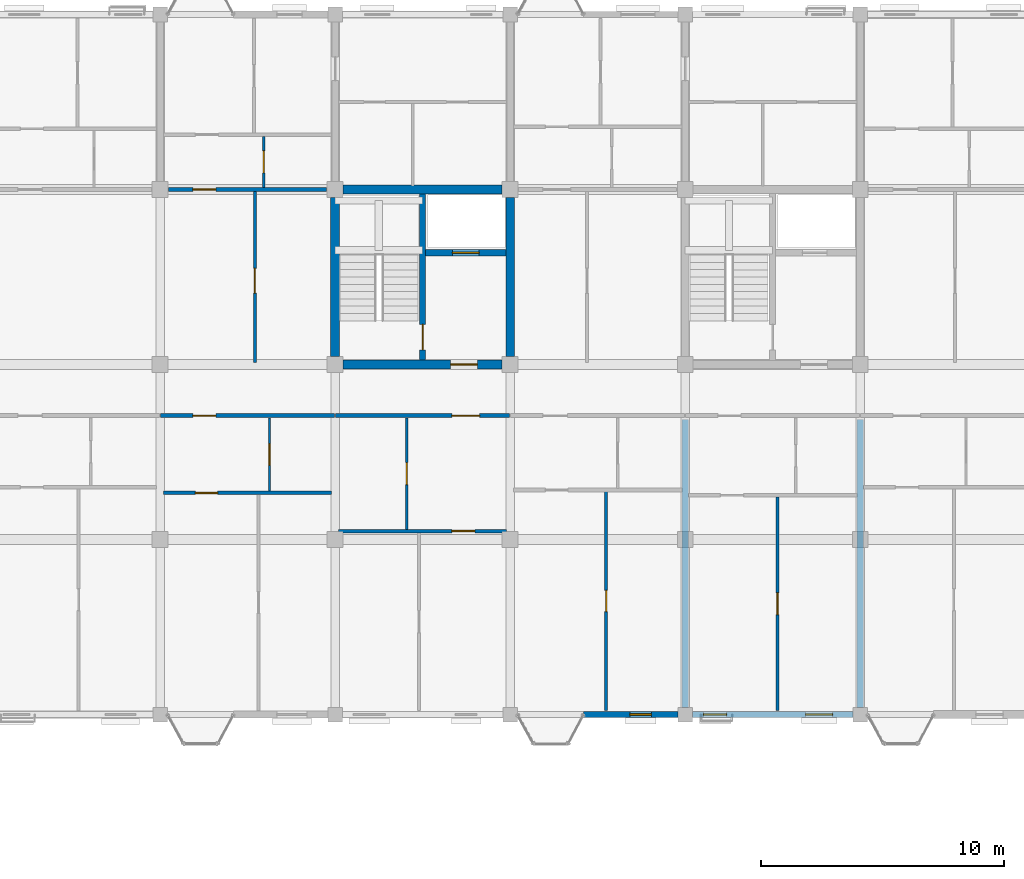
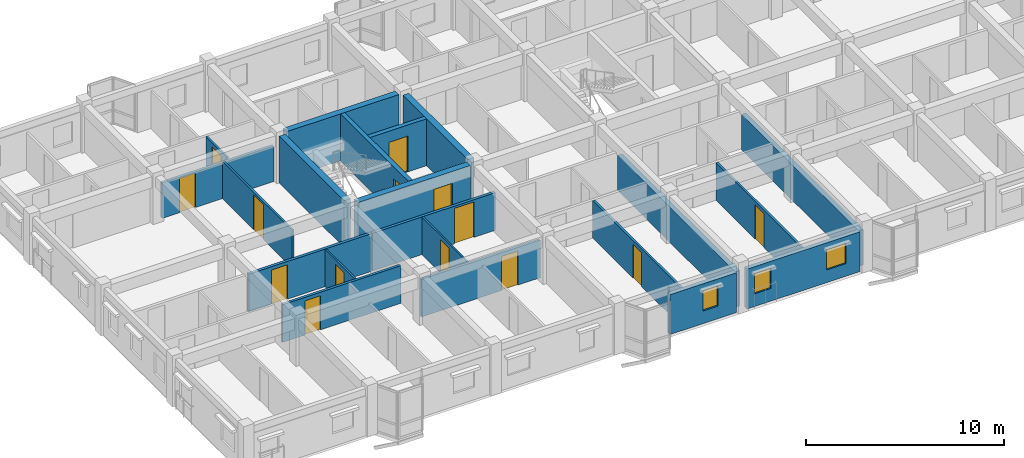
# One storey, part 107 of 124: 21 walls, 14 doors, 3 windows, 17 openings.
"""IFC4 building model written with IfcOpenShell, lengths in metres."""

from ifc_helpers import new_model, si_unit, direction, frame, frame_2d, origin, place, context, subcontext, project, spatial, rectangle, extrude, material, layer, layer_set, type_object, element, fill, save


model = new_model("IFC4")

# Units and contexts
model_context = context("Model", 3, precision=1e-05, world=origin(), true_north=direction((0.0, 1.0)))
body_context = subcontext(model_context, "Body", "Model", "MODEL_VIEW")
ifc_project = project(units=[si_unit("LENGTHUNIT", "METRE"), si_unit("AREAUNIT", "SQUARE_METRE"), si_unit("VOLUMEUNIT", "CUBIC_METRE"), si_unit("PLANEANGLEUNIT", "RADIAN"), si_unit("MASSUNIT", "GRAM", prefix="KILO"), si_unit("THERMODYNAMICTEMPERATUREUNIT", "KELVIN"), si_unit("POWERUNIT", "WATT")], contexts=[model_context])

# Site, building, storey
site_placement = place(None, origin())
site = spatial("IfcSite", under=ifc_project, at=site_placement, CompositionType="ELEMENT")
building_placement = place(site_placement, origin())
building = spatial("IfcBuilding", under=site, at=building_placement, Name="Tavuni Mirador Residences", CompositionType="ELEMENT")
storey_placement = place(building_placement, frame((0.0, 0.0, 7.64990234375)))
storey = spatial("IfcBuildingStorey", under=building, at=storey_placement, Name="L02", CompositionType="ELEMENT", Elevation=7.64990234375)

# Wall, opening, door
ifc_material_1 = material(Name="Precast concrete C40/50", Category="concrete")
ifc_layer_1 = layer(ifc_material_1, 0.25, Name="Precast concrete C40/50", Category="concrete")
ifc_layer_set_1 = layer_set([ifc_layer_1], Name="Precast concrete C40/50")
wall_type_1 = type_object("IfcWallType", Name="WT-COR250", PredefinedType="SHEAR", material=ifc_layer_set_1)
wall_1_placement = place(storey_placement, frame((28.800048828125, 158.580078125, 0.0), z_axis=(0.0, 0.0, 1.0), x_axis=(0.0, 1.0, 0.0)))
wall_1 = element("IfcWall", 1, at=wall_1_placement, inside=storey, type_object=wall_type_1, Name="CWALL-C5-L02-MID", PredefinedType="SHEAR", context=body_context, shape_type="SweptSolid", body=[
    extrude(rectangle(XDim=6.83984375, YDim=0.25, at=frame_2d((3.419921875, 0.0))), origin(), (0.0, 0.0, 1.0), 2.885009765625),
])
opening_1_placement = place(wall_1_placement, frame((0.419921875, 0.0, 0.0)))
opening_1 = element("IfcOpeningElement", 2, at=opening_1_placement, cuts=wall_1, Name="Opening D-01", PredefinedType="OPENING", context=body_context, shape_type="SweptSolid", body=[
    extrude(rectangle(XDim=1.050048828125, YDim=2.14990234375, at=frame_2d((0.52490234375, 1.074951171875))), frame((0.0, 0.135009765625, 0.0), z_axis=(0.0, -1.0, 0.0), x_axis=(1.0, 0.0, 0.0)), (0.0, 0.0, 1.0), 0.27001953125),
])
ifc_material_2 = material(Name="Solid core iroko timber", Category="wood")
door_type_1 = type_object("IfcDoorType", Name="DT-ST1050", OperationType="NOTDEFINED", PredefinedType="DOOR", material=ifc_material_2)
door_1_placement = place(opening_1_placement, origin())
door_1 = element("IfcDoor", 3, at=door_1_placement, inside=storey, type_object=door_type_1, Name="DR-2181", OperationType="SINGLE_SWING_LEFT", OverallHeight=2.14990234375, OverallWidth=1.050048828125, PredefinedType="DOOR", context=body_context, shape_type="SweptSolid", body=[
    extrude(rectangle(XDim=1.050048828125, YDim=2.14990234375, at=frame_2d((0.52490234375, 1.074951171875))), frame((0.0, 0.02490234375, 0.0), z_axis=(0.0, -1.0, 0.0), x_axis=(1.0, 0.0, 0.0)), (0.0, 0.0, 1.0), 0.050048828125),
])
fill(opening_1, door_1)

wall_2_placement = place(storey_placement, frame((28.925048828125, 163.0, 0.0), z_axis=(0.0, 0.0, 1.0), x_axis=(1.0, 0.0, 0.0)))
wall_2 = element("IfcWall", 4, at=wall_2_placement, inside=storey, type_object=wall_type_1, Name="CWALL-C5-L02-SHF", PredefinedType="SHEAR", context=body_context, shape_type="SweptSolid", body=[
    extrude(rectangle(XDim=3.294921875, YDim=0.25, at=frame_2d((1.6474609375, 0.0))), origin(), (0.0, 0.0, 1.0), 2.885009765625),
])
opening_2_placement = place(wall_2_placement, frame((1.10009765625, 0.0, 0.0)))
opening_2 = element("IfcOpeningElement", 5, at=opening_2_placement, cuts=wall_2, Name="Opening LD-01", PredefinedType="OPENING", context=body_context, shape_type="SweptSolid", body=[
    extrude(rectangle(XDim=1.10009765625, YDim=2.199951171875, at=frame_2d((0.550048828125, 1.10009765625))), frame((0.0, 0.135009765625, 0.0), z_axis=(0.0, -1.0, 0.0), x_axis=(1.0, 0.0, 0.0)), (0.0, 0.0, 1.0), 0.27001953125),
])
ifc_material_3 = material(Name="Structural steel S355", Category="steel")
door_type_2 = type_object("IfcDoorType", Name="DT-LD-FF", OperationType="SLIDING_TO_LEFT", PredefinedType="DOOR", material=ifc_material_3)
door_2_placement = place(opening_2_placement, origin())
door_2 = element("IfcDoor", 6, at=door_2_placement, inside=storey, type_object=door_type_2, Name="Lift landing door FL-C1 L02", OperationType="SLIDING_TO_LEFT", OverallHeight=2.199951171875, OverallWidth=1.10009765625, PredefinedType="DOOR", context=body_context, shape_type="SweptSolid", body=[
    extrude(rectangle(XDim=1.10009765625, YDim=2.199951171875, at=frame_2d((0.550048828125, 1.10009765625))), frame((0.0, 0.02490234375, 0.0), z_axis=(0.0, -1.0, 0.0), x_axis=(1.0, 0.0, 0.0)), (0.0, 0.0, 1.0), 0.050048828125),
])
fill(opening_2, door_2)

# Walls
ifc_layer_2 = layer(ifc_material_1, 0.360107421875, Name="Precast concrete C40/50", Category="concrete")
ifc_layer_set_2 = layer_set([ifc_layer_2], Name="Precast concrete C40/50")
wall_type_2 = type_object("IfcWallType", Name="WT-COR360", PredefinedType="SHEAR", material=ifc_layer_set_2)
wall_3_placement = place(storey_placement, frame((25.199951171875, 158.72509765625, 0.0), z_axis=(0.0, 0.0, 1.0), x_axis=(0.0, 1.0, 0.0)))
element("IfcWall", 7, at=wall_3_placement, inside=storey, type_object=wall_type_2, Name="CWALL-C5-L02-W", PredefinedType="SHEAR", context=body_context, shape_type="SweptSolid", body=[
    extrude(rectangle(XDim=6.5498046875, YDim=0.360107421875, at=frame_2d((3.27490234375, 0.0))), origin(), (0.0, 0.0, 1.0), 2.885009765625),
])
wall_4_placement = place(storey_placement, frame((25.52490234375, 165.60009765625, 0.0), z_axis=(0.0, 0.0, 1.0), x_axis=(1.0, 0.0, 0.0)))
element("IfcWall", 8, at=wall_4_placement, inside=storey, type_object=wall_type_2, Name="CWALL-C5-L02-N", PredefinedType="SHEAR", context=body_context, shape_type="SweptSolid", body=[
    extrude(rectangle(XDim=6.550048828125, YDim=0.360107421875, at=frame_2d((3.27490234375, 0.0))), origin(), (0.0, 0.0, 1.0), 2.885009765625),
])
wall_5_placement = place(storey_placement, frame((32.39990234375, 158.72509765625, 0.0), z_axis=(0.0, 0.0, 1.0), x_axis=(0.0, 1.0, 0.0)))
element("IfcWall", 9, at=wall_5_placement, inside=storey, type_object=wall_type_2, Name="CWALL-C5-L02-E", PredefinedType="SHEAR", context=body_context, shape_type="SweptSolid", body=[
    extrude(rectangle(XDim=6.5498046875, YDim=0.360107421875, at=frame_2d((3.27490234375, 0.0))), origin(), (0.0, 0.0, 1.0), 2.885009765625),
])

# Wall, opening, door
wall_6_placement = place(storey_placement, frame((25.52490234375, 158.39990234375, 0.0), z_axis=(0.0, 0.0, 1.0), x_axis=(1.0, 0.0, 0.0)))
wall_6 = element("IfcWall", 10, at=wall_6_placement, inside=storey, type_object=wall_type_2, Name="CWALL-C5-L02-SS", PredefinedType="SHEAR", context=body_context, shape_type="SweptSolid", body=[
    extrude(rectangle(XDim=6.550048828125, YDim=0.360107421875, at=frame_2d((3.27490234375, 0.0))), origin(), (0.0, 0.0, 1.0), 2.885009765625),
])
opening_3_placement = place(wall_6_placement, frame((4.425048828125, 0.0, 0.0)))
opening_3 = element("IfcOpeningElement", 11, at=opening_3_placement, cuts=wall_6, Name="Opening D-02", PredefinedType="OPENING", context=body_context, shape_type="SweptSolid", body=[
    extrude(rectangle(XDim=1.10009765625, YDim=2.14990234375, at=frame_2d((0.550048828125, 1.074951171875))), frame((0.0, 0.18994140625, 0.0), z_axis=(0.0, -1.0, 0.0), x_axis=(1.0, 0.0, 0.0)), (0.0, 0.0, 1.0), 0.380126953125),
])
door_type_3 = type_object("IfcDoorType", Name="DT-LOB1100", OperationType="NOTDEFINED", PredefinedType="DOOR", material=ifc_material_2)
door_3_placement = place(opening_3_placement, frame((1.10009765625, 0.0, 0.0), z_axis=(0.0, 0.0, 1.0), x_axis=(-1.0, 0.0, 0.0)))
door_3 = element("IfcDoor", 12, at=door_3_placement, inside=storey, type_object=door_type_3, Name="DR-2180", OperationType="SINGLE_SWING_RIGHT", OverallHeight=2.14990234375, OverallWidth=1.10009765625, PredefinedType="DOOR", context=body_context, shape_type="SweptSolid", body=[
    extrude(rectangle(XDim=1.10009765625, YDim=2.14990234375, at=frame_2d((0.550048828125, 1.074951171875))), frame((0.0, 0.02490234375, 0.0), z_axis=(0.0, -1.0, 0.0), x_axis=(1.0, 0.0, 0.0)), (0.0, 0.0, 1.0), 0.050048828125),
])
fill(opening_3, door_3)

ifc_layer_3 = layer(ifc_material_1, 0.1650390625, Name="Precast concrete C40/50", Category="concrete")
ifc_layer_set_3 = layer_set([ifc_layer_3], Name="Precast concrete C40/50")
wall_type_3 = type_object("IfcWallType", Name="WT-CORR165", PredefinedType="PARTITIONING", material=ifc_layer_set_3)
wall_7_placement = place(storey_placement, frame((18.02001953125, 156.300048828125, 0.0), z_axis=(0.0, 0.0, 1.0), x_axis=(1.0, 0.0, 0.0)))
wall_7 = element("IfcWall", 13, at=wall_7_placement, inside=storey, type_object=wall_type_3, Name="CORW-BLK-C-L02-0-01", PredefinedType="PARTITIONING", context=body_context, shape_type="SweptSolid", body=[
    extrude(rectangle(XDim=7.159912109375, YDim=0.1650390625, at=frame_2d((3.580078125, 0.0))), origin(), (0.0, 0.0, 1.0), 2.320068359375),
])
opening_4_placement = place(wall_7_placement, frame((1.330078125, 0.0, 0.0)))
opening_4 = element("IfcOpeningElement", 14, at=opening_4_placement, cuts=wall_7, Name="Opening D-19", PredefinedType="OPENING", context=body_context, shape_type="SweptSolid", body=[
    extrude(rectangle(XDim=0.93994140625, YDim=2.1201171875, at=frame_2d((0.469970703125, 1.06005859375))), frame((0.0, 0.092529296875, 0.0), z_axis=(0.0, -1.0, 0.0), x_axis=(1.0, 0.0, 0.0)), (0.0, 0.0, 1.0), 0.18505859375),
])
door_type_4 = type_object("IfcDoorType", Name="DT-FD60-940", OperationType="NOTDEFINED", PredefinedType="DOOR", material=ifc_material_2)
door_4_placement = place(opening_4_placement, origin())
door_4 = element("IfcDoor", 15, at=door_4_placement, inside=storey, type_object=door_type_4, Name="DR-2644", OperationType="SINGLE_SWING_LEFT", OverallHeight=2.1201171875, OverallWidth=0.93994140625, PredefinedType="DOOR", context=body_context, shape_type="SweptSolid", body=[
    extrude(rectangle(XDim=0.93994140625, YDim=2.1201171875, at=frame_2d((0.469970703125, 1.06005859375))), frame((0.0, 0.02490234375, 0.0), z_axis=(0.0, -1.0, 0.0), x_axis=(1.0, 0.0, 0.0)), (0.0, 0.0, 1.0), 0.050048828125),
])
fill(opening_4, door_4)

wall_8_placement = place(storey_placement, frame((25.219970703125, 156.300048828125, 0.0), z_axis=(0.0, 0.0, 1.0), x_axis=(1.0, 0.0, 0.0)))
wall_8 = element("IfcWall", 16, at=wall_8_placement, inside=storey, type_object=wall_type_3, Name="CORW-BLK-C-L02-0-02", PredefinedType="PARTITIONING", context=body_context, shape_type="SweptSolid", body=[
    extrude(rectangle(XDim=7.159912109375, YDim=0.1650390625, at=frame_2d((3.580078125, 0.0))), origin(), (0.0, 0.0, 1.0), 2.320068359375),
])
opening_5_placement = place(wall_8_placement, frame((4.780029296875, 0.0, 0.0)))
opening_5 = element("IfcOpeningElement", 17, at=opening_5_placement, cuts=wall_8, Name="Opening D-20", PredefinedType="OPENING", context=body_context, shape_type="SweptSolid", body=[
    extrude(rectangle(XDim=1.139892578125, YDim=2.179931640625, at=frame_2d((0.56982421875, 1.08984375))), frame((0.0, 0.092529296875, 0.0), z_axis=(0.0, -1.0, 0.0), x_axis=(1.0, 0.0, 0.0)), (0.0, 0.0, 1.0), 0.18505859375),
])
door_type_5 = type_object("IfcDoorType", Name="DT-FD60-1140", OperationType="NOTDEFINED", PredefinedType="DOOR", material=ifc_material_2)
door_5_placement = place(opening_5_placement, origin())
door_5 = element("IfcDoor", 18, at=door_5_placement, inside=storey, type_object=door_type_5, Name="DR-2645", OperationType="SINGLE_SWING_RIGHT", OverallHeight=2.179931640625, OverallWidth=1.139892578125, PredefinedType="DOOR", context=body_context, shape_type="SweptSolid", body=[
    extrude(rectangle(XDim=1.139892578125, YDim=2.179931640625, at=frame_2d((0.56982421875, 1.08984375))), frame((0.0, 0.02490234375, 0.0), z_axis=(0.0, -1.0, 0.0), x_axis=(1.0, 0.0, 0.0)), (0.0, 0.0, 1.0), 0.050048828125),
])
fill(opening_5, door_5)

wall_9_placement = place(storey_placement, frame((18.35009765625, 165.60009765625, 0.0), z_axis=(0.0, 0.0, 1.0), x_axis=(1.0, 0.0, 0.0)))
wall_9 = element("IfcWall", 19, at=wall_9_placement, inside=storey, type_object=wall_type_3, Name="CORW-BLK-C-L02-1-01", PredefinedType="PARTITIONING", context=body_context, shape_type="SweptSolid", body=[
    extrude(rectangle(XDim=6.5, YDim=0.1650390625, at=frame_2d((3.25, 0.0))), origin(), (0.0, 0.0, 1.0), 2.18505859375),
])
opening_6_placement = place(wall_9_placement, frame((1.0, 0.0, 0.0)))
opening_6 = element("IfcOpeningElement", 20, at=opening_6_placement, cuts=wall_9, Name="Opening D-19", PredefinedType="OPENING", context=body_context, shape_type="SweptSolid", body=[
    extrude(rectangle(XDim=0.93994140625, YDim=2.1201171875, at=frame_2d((0.469970703125, 1.06005859375))), frame((0.0, 0.092529296875, 0.0), z_axis=(0.0, -1.0, 0.0), x_axis=(1.0, 0.0, 0.0)), (0.0, 0.0, 1.0), 0.18505859375),
])
door_6_placement = place(opening_6_placement, origin())
door_6 = element("IfcDoor", 21, at=door_6_placement, inside=storey, type_object=door_type_4, Name="DR-2653", OperationType="SINGLE_SWING_RIGHT", OverallHeight=2.1201171875, OverallWidth=0.93994140625, PredefinedType="DOOR", context=body_context, shape_type="SweptSolid", body=[
    extrude(rectangle(XDim=0.93994140625, YDim=2.1201171875, at=frame_2d((0.469970703125, 1.06005859375))), frame((0.0, 0.02490234375, 0.0), z_axis=(0.0, -1.0, 0.0), x_axis=(1.0, 0.0, 0.0)), (0.0, 0.0, 1.0), 0.050048828125),
])
fill(opening_6, door_6)

# Wall, openings, windows
ifc_material_4 = material(Name="Sgraffito lime-rendered precast concrete C40/50", Category="concrete")
ifc_layer_4 = layer(ifc_material_4, 0.2451171875, Name="Sgraffito lime-rendered precast concrete C40/50", Category="concrete")
ifc_layer_set_4 = layer_set([ifc_layer_4], Name="Sgraffito lime-rendered precast concrete C40/50")
wall_type_4 = type_object("IfcWallType", Name="WT-EXT-PC245", PredefinedType="SOLIDWALL", material=ifc_layer_set_4)
wall_10_placement = place(storey_placement, frame((39.89990234375, 144.0, 0.0), z_axis=(0.0, 0.0, 1.0), x_axis=(1.0, 0.0, 0.0)))
wall_10 = element("IfcWall", 22, at=wall_10_placement, inside=storey, type_object=wall_type_4, Name="EW-BLK-C-L02-S04", PredefinedType="SOLIDWALL", context=body_context, shape_type="SweptSolid", body=[
    extrude(rectangle(XDim=6.60009765625, YDim=0.2451171875, at=frame_2d((3.300048828125, 0.0))), origin(), (0.0, 0.0, 1.0), 2.455078125),
])
opening_7_placement = place(wall_10_placement, frame((0.449951171875, 0.0, 0.780029296875)))
opening_7 = element("IfcOpeningElement", 23, at=opening_7_placement, cuts=wall_10, Name="Opening WN-10", PredefinedType="OPENING", context=body_context, shape_type="SweptSolid", body=[
    extrude(rectangle(XDim=0.9599609375, YDim=1.260009765625, at=frame_2d((0.47998046875, 0.6298828125))), frame((0.0, 0.132568359375, 0.0), z_axis=(0.0, -1.0, 0.0), x_axis=(1.0, 0.0, 0.0)), (0.0, 0.0, 1.0), 0.26513671875),
])
opening_8_placement = place(wall_10_placement, frame((4.64990234375, 0.0, 0.780029296875)))
opening_8 = element("IfcOpeningElement", 24, at=opening_8_placement, cuts=wall_10, Name="Opening WN-12", PredefinedType="OPENING", context=body_context, shape_type="SweptSolid", body=[
    extrude(rectangle(XDim=1.1201171875, YDim=1.260009765625, at=frame_2d((0.56005859375, 0.6298828125))), frame((0.0, 0.132568359375, 0.0), z_axis=(0.0, -1.0, 0.0), x_axis=(1.0, 0.0, 0.0)), (0.0, 0.0, 1.0), 0.26513671875),
])
ifc_material_5 = material(Name="Laminated solar-control glass", Category="glass")
window_type_1 = type_object("IfcWindowType", Name="WNT-10", PartitioningType="SINGLE_PANEL", PredefinedType="WINDOW", material=ifc_material_5)
window_1_placement = place(opening_7_placement, origin())
window_1 = element("IfcWindow", 25, at=window_1_placement, inside=storey, type_object=window_type_1, Name="WIN-0907", OverallHeight=1.260009765625, OverallWidth=0.9599609375, PartitioningType="SINGLE_PANEL", PredefinedType="WINDOW", context=body_context, shape_type="SweptSolid", body=[
    extrude(rectangle(XDim=0.9599609375, YDim=1.260009765625, at=frame_2d((0.47998046875, 0.6298828125))), frame((0.0, 0.030029296875, 0.0), z_axis=(0.0, -1.0, 0.0), x_axis=(1.0, 0.0, 0.0)), (0.0, 0.0, 1.0), 0.06005859375),
])
fill(opening_7, window_1)
window_type_2 = type_object("IfcWindowType", Name="WNT-12", PartitioningType="SINGLE_PANEL", PredefinedType="WINDOW", material=ifc_material_5)
window_2_placement = place(opening_8_placement, origin())
window_2 = element("IfcWindow", 26, at=window_2_placement, inside=storey, type_object=window_type_2, Name="WIN-0908", OverallHeight=1.260009765625, OverallWidth=1.1201171875, PartitioningType="SINGLE_PANEL", PredefinedType="WINDOW", context=body_context, shape_type="SweptSolid", body=[
    extrude(rectangle(XDim=1.1201171875, YDim=1.260009765625, at=frame_2d((0.56005859375, 0.6298828125))), frame((0.0, 0.030029296875, 0.0), z_axis=(0.0, -1.0, 0.0), x_axis=(1.0, 0.0, 0.0)), (0.0, 0.0, 1.0), 0.06005859375),
])
fill(opening_8, window_2)

# Wall, opening, window
ifc_layer_5 = layer(ifc_material_4, 0.2548828125, Name="Sgraffito lime-rendered precast concrete C40/50", Category="concrete")
ifc_layer_set_5 = layer_set([ifc_layer_5], Name="Sgraffito lime-rendered precast concrete C40/50")
wall_type_5 = type_object("IfcWallType", Name="WT-EXT-PC255", PredefinedType="SOLIDWALL", material=ifc_layer_set_5)
wall_11_placement = place(storey_placement, frame((35.419921875, 144.0, 0.0), z_axis=(0.0, 0.0, 1.0), x_axis=(1.0, 0.0, 0.0)))
wall_11 = element("IfcWall", 27, at=wall_11_placement, inside=storey, type_object=wall_type_5, Name="EW-BLK-C-L02-S03", PredefinedType="SOLIDWALL", context=body_context, shape_type="SweptSolid", body=[
    extrude(rectangle(XDim=3.880126953125, YDim=0.2548828125, at=frame_2d((1.93994140625, 0.0))), origin(), (0.0, 0.0, 1.0), 2.455078125),
])
opening_9_placement = place(wall_11_placement, frame((1.909912109375, 0.0, 0.780029296875)))
opening_9 = element("IfcOpeningElement", 28, at=opening_9_placement, cuts=wall_11, Name="Opening WN-09", PredefinedType="OPENING", context=body_context, shape_type="SweptSolid", body=[
    extrude(rectangle(XDim=0.8798828125, YDim=1.260009765625, at=frame_2d((0.43994140625, 0.6298828125))), frame((0.0, 0.137451171875, 0.0), z_axis=(0.0, -1.0, 0.0), x_axis=(1.0, 0.0, 0.0)), (0.0, 0.0, 1.0), 0.27490234375),
])
window_type_3 = type_object("IfcWindowType", Name="WNT-09", PartitioningType="SINGLE_PANEL", PredefinedType="WINDOW", material=ifc_material_5)
window_3_placement = place(opening_9_placement, origin())
window_3 = element("IfcWindow", 29, at=window_3_placement, inside=storey, type_object=window_type_3, Name="WIN-0906", OverallHeight=1.260009765625, OverallWidth=0.8798828125, PartitioningType="SINGLE_PANEL", PredefinedType="WINDOW", context=body_context, shape_type="SweptSolid", body=[
    extrude(rectangle(XDim=0.8798828125, YDim=1.260009765625, at=frame_2d((0.43994140625, 0.6298828125))), frame((0.0, 0.030029296875, 0.0), z_axis=(0.0, -1.0, 0.0), x_axis=(1.0, 0.0, 0.0)), (0.0, 0.0, 1.0), 0.06005859375),
])
fill(opening_9, window_3)

# Wall, opening, door
ifc_material_6 = material(Name="Acoustic gypsum and concrete block partition", Category="concrete")
ifc_layer_6 = layer(ifc_material_6, 0.094970703125, Name="Acoustic gypsum and concrete block partition", Category="concrete")
ifc_layer_set_6 = layer_set([ifc_layer_6], Name="Acoustic gypsum and concrete block partition")
wall_type_6 = type_object("IfcWallType", Name="WT-PART095", PredefinedType="PARTITIONING", material=ifc_layer_set_6)
wall_12_placement = place(storey_placement, frame((22.5, 153.18994140625, 0.0), z_axis=(0.0, 0.0, 1.0), x_axis=(0.0, 1.0, 0.0)))
wall_12 = element("IfcWall", 30, at=wall_12_placement, inside=storey, type_object=wall_type_6, Name="PW-BLK-C-L02-S01-IN1", PredefinedType="PARTITIONING", context=body_context, shape_type="SweptSolid", body=[
    extrude(rectangle(XDim=3.02001953125, YDim=0.094970703125, at=frame_2d((1.510009765625, 0.0))), origin(), (0.0, 0.0, 1.0), 2.320068359375),
])
opening_10_placement = place(wall_12_placement, frame((1.074951171875, 0.0, 0.0)))
opening_10 = element("IfcOpeningElement", 31, at=opening_10_placement, cuts=wall_12, Name="Opening D-10", PredefinedType="OPENING", context=body_context, shape_type="SweptSolid", body=[
    extrude(rectangle(XDim=0.8701171875, YDim=2.050048828125, at=frame_2d((0.43505859375, 1.02490234375))), frame((0.0, 0.0576171875, 0.0), z_axis=(0.0, -1.0, 0.0), x_axis=(1.0, 0.0, 0.0)), (0.0, 0.0, 1.0), 0.114990234375),
])
door_type_6 = type_object("IfcDoorType", Name="DT-WC870", OperationType="NOTDEFINED", PredefinedType="DOOR", material=ifc_material_2)
door_7_placement = place(opening_10_placement, origin())
door_7 = element("IfcDoor", 32, at=door_7_placement, inside=storey, type_object=door_type_6, Name="DR-3747", OperationType="SINGLE_SWING_RIGHT", OverallHeight=2.050048828125, OverallWidth=0.8701171875, PredefinedType="DOOR", context=body_context, shape_type="SweptSolid", body=[
    extrude(rectangle(XDim=0.8701171875, YDim=2.050048828125, at=frame_2d((0.43505859375, 1.02490234375))), frame((0.0, 0.02490234375, 0.0), z_axis=(0.0, -1.0, 0.0), x_axis=(1.0, 0.0, 0.0)), (0.0, 0.0, 1.0), 0.050048828125),
])
fill(opening_10, door_7)

wall_13_placement = place(storey_placement, frame((28.14990234375, 151.6201171875, 0.0), z_axis=(0.0, 0.0, 1.0), x_axis=(0.0, 1.0, 0.0)))
wall_13 = element("IfcWall", 33, at=wall_13_placement, inside=storey, type_object=wall_type_6, Name="PW-BLK-C-L02-S02-IN1", PredefinedType="PARTITIONING", context=body_context, shape_type="SweptSolid", body=[
    extrude(rectangle(XDim=4.58984375, YDim=0.094970703125, at=frame_2d((2.294921875, 0.0))), origin(), (0.0, 0.0, 1.0), 2.320068359375),
])
opening_11_placement = place(wall_13_placement, frame((1.844970703125, 0.0, 0.0)))
opening_11 = element("IfcOpeningElement", 34, at=opening_11_placement, cuts=wall_13, Name="Opening D-09", PredefinedType="OPENING", context=body_context, shape_type="SweptSolid", body=[
    extrude(rectangle(XDim=0.89990234375, YDim=2.050048828125, at=frame_2d((0.449951171875, 1.02490234375))), frame((0.0, 0.0576171875, 0.0), z_axis=(0.0, -1.0, 0.0), x_axis=(1.0, 0.0, 0.0)), (0.0, 0.0, 1.0), 0.114990234375),
])
door_type_7 = type_object("IfcDoorType", Name="DT-WC900", OperationType="NOTDEFINED", PredefinedType="DOOR", material=ifc_material_2)
door_8_placement = place(opening_11_placement, origin())
door_8 = element("IfcDoor", 35, at=door_8_placement, inside=storey, type_object=door_type_7, Name="DR-3753", OperationType="SINGLE_SWING_LEFT", OverallHeight=2.050048828125, OverallWidth=0.89990234375, PredefinedType="DOOR", context=body_context, shape_type="SweptSolid", body=[
    extrude(rectangle(XDim=0.89990234375, YDim=2.050048828125, at=frame_2d((0.449951171875, 1.02490234375))), frame((0.0, 0.02490234375, 0.0), z_axis=(0.0, -1.0, 0.0), x_axis=(1.0, 0.0, 0.0)), (0.0, 0.0, 1.0), 0.050048828125),
])
fill(opening_11, door_8)

ifc_layer_7 = layer(ifc_material_6, 0.10498046875, Name="Acoustic gypsum and concrete block partition", Category="concrete")
ifc_layer_set_7 = layer_set([ifc_layer_7], Name="Acoustic gypsum and concrete block partition")
wall_type_7 = type_object("IfcWallType", Name="WT-PART105", PredefinedType="PARTITIONING", material=ifc_layer_set_7)
wall_14_placement = place(storey_placement, frame((22.260009765625, 165.68994140625, 0.0), z_axis=(0.0, 0.0, 1.0), x_axis=(0.0, 1.0, 0.0)))
wall_14 = element("IfcWall", 36, at=wall_14_placement, inside=storey, type_object=wall_type_7, Name="PW-BLK-C-L02-N01-IN1", PredefinedType="PARTITIONING", context=body_context, shape_type="SweptSolid", body=[
    extrude(rectangle(XDim=2.10009765625, YDim=0.10498046875, at=frame_2d((1.050048828125, 0.0))), origin(), (0.0, 0.0, 1.0), 2.320068359375),
])
opening_12_placement = place(wall_14_placement, frame((0.60009765625, 0.0, 0.0)))
opening_12 = element("IfcOpeningElement", 37, at=opening_12_placement, cuts=wall_14, Name="Opening D-09", PredefinedType="OPENING", context=body_context, shape_type="SweptSolid", body=[
    extrude(rectangle(XDim=0.89990234375, YDim=2.050048828125, at=frame_2d((0.449951171875, 1.02490234375))), frame((0.0, 0.0625, 0.0), z_axis=(0.0, -1.0, 0.0), x_axis=(1.0, 0.0, 0.0)), (0.0, 0.0, 1.0), 0.125),
])
door_9_placement = place(opening_12_placement, origin())
door_9 = element("IfcDoor", 38, at=door_9_placement, inside=storey, type_object=door_type_7, Name="DR-3750", OperationType="SINGLE_SWING_LEFT", OverallHeight=2.050048828125, OverallWidth=0.89990234375, PredefinedType="DOOR", context=body_context, shape_type="SweptSolid", body=[
    extrude(rectangle(XDim=0.89990234375, YDim=2.050048828125, at=frame_2d((0.449951171875, 1.02490234375))), frame((0.0, 0.02490234375, 0.0), z_axis=(0.0, -1.0, 0.0), x_axis=(1.0, 0.0, 0.0)), (0.0, 0.0, 1.0), 0.050048828125),
])
fill(opening_12, door_9)

ifc_layer_8 = layer(ifc_material_6, 0.114990234375, Name="Acoustic gypsum and concrete block partition", Category="concrete")
ifc_layer_set_8 = layer_set([ifc_layer_8], Name="Acoustic gypsum and concrete block partition")
wall_type_8 = type_object("IfcWallType", Name="WT-PART115", PredefinedType="PARTITIONING", material=ifc_layer_set_8)
wall_15_placement = place(storey_placement, frame((21.89990234375, 158.489990234375, 0.0), z_axis=(0.0, 0.0, 1.0), x_axis=(0.0, 1.0, 0.0)))
wall_15 = element("IfcWall", 39, at=wall_15_placement, inside=storey, type_object=wall_type_8, Name="PW-SPN-BLK-C-L02-01", PredefinedType="PARTITIONING", context=body_context, shape_type="SweptSolid", body=[
    extrude(rectangle(XDim=7.02001953125, YDim=0.114990234375, at=frame_2d((3.510009765625, 0.0))), origin(), (0.0, 0.0, 1.0), 2.320068359375),
])
opening_13_placement = place(wall_15_placement, frame((2.85009765625, 0.0, 0.0)))
opening_13 = element("IfcOpeningElement", 40, at=opening_13_placement, cuts=wall_15, Name="Opening D-13", PredefinedType="OPENING", context=body_context, shape_type="SweptSolid", body=[
    extrude(rectangle(XDim=1.02001953125, YDim=2.14990234375, at=frame_2d((0.510009765625, 1.074951171875))), frame((0.0, 0.0673828125, 0.0), z_axis=(0.0, -1.0, 0.0), x_axis=(1.0, 0.0, 0.0)), (0.0, 0.0, 1.0), 0.135009765625),
])
door_type_8 = type_object("IfcDoorType", Name="DT-MTG1020", OperationType="NOTDEFINED", PredefinedType="DOOR", material=ifc_material_2)
door_10_placement = place(opening_13_placement, origin())
door_10 = element("IfcDoor", 41, at=door_10_placement, inside=storey, type_object=door_type_8, Name="DR-3745", OperationType="SINGLE_SWING_RIGHT", OverallHeight=2.14990234375, OverallWidth=1.02001953125, PredefinedType="DOOR", context=body_context, shape_type="SweptSolid", body=[
    extrude(rectangle(XDim=1.02001953125, YDim=2.14990234375, at=frame_2d((0.510009765625, 1.074951171875))), frame((0.0, 0.02490234375, 0.0), z_axis=(0.0, -1.0, 0.0), x_axis=(1.0, 0.0, 0.0)), (0.0, 0.0, 1.0), 0.050048828125),
])
fill(opening_13, door_10)

ifc_layer_9 = layer(ifc_material_6, 0.125, Name="Acoustic gypsum and concrete block partition", Category="concrete")
ifc_layer_set_9 = layer_set([ifc_layer_9], Name="Acoustic gypsum and concrete block partition")
wall_type_9 = type_object("IfcWallType", Name="WT-PART125", PredefinedType="PARTITIONING", material=ifc_layer_set_9)
wall_16_placement = place(storey_placement, frame((36.35009765625, 144.175048828125, 0.0), z_axis=(0.0, 0.0, 1.0), x_axis=(0.0, 1.0, 0.0)))
wall_16 = element("IfcWall", 42, at=wall_16_placement, inside=storey, type_object=wall_type_9, Name="PW-BLK-C-L02-S03-OUT", PredefinedType="PARTITIONING", context=body_context, shape_type="SweptSolid", body=[
    extrude(rectangle(XDim=8.994873046875, YDim=0.125, at=frame_2d((4.49755859375, 0.0))), origin(), (0.0, 0.0, 1.0), 2.320068359375),
])
opening_14_placement = place(wall_16_placement, frame((4.0576171875, 0.0, 0.0)))
opening_14 = element("IfcOpeningElement", 43, at=opening_14_placement, cuts=wall_16, Name="Opening D-08", PredefinedType="OPENING", context=body_context, shape_type="SweptSolid", body=[
    extrude(rectangle(XDim=0.8798828125, YDim=2.080078125, at=frame_2d((0.43994140625, 1.0400390625))), frame((0.0, 0.072509765625, 0.0), z_axis=(0.0, -1.0, 0.0), x_axis=(1.0, 0.0, 0.0)), (0.0, 0.0, 1.0), 0.14501953125),
])
door_type_9 = type_object("IfcDoorType", Name="DT-BED880", OperationType="NOTDEFINED", PredefinedType="DOOR", material=ifc_material_2)
door_11_placement = place(opening_14_placement, origin())
door_11 = element("IfcDoor", 44, at=door_11_placement, inside=storey, type_object=door_type_9, Name="DR-3758", OperationType="SINGLE_SWING_LEFT", OverallHeight=2.080078125, OverallWidth=0.8798828125, PredefinedType="DOOR", context=body_context, shape_type="SweptSolid", body=[
    extrude(rectangle(XDim=0.8798828125, YDim=2.080078125, at=frame_2d((0.43994140625, 1.0400390625))), frame((0.0, 0.02490234375, 0.0), z_axis=(0.0, -1.0, 0.0), x_axis=(1.0, 0.0, 0.0)), (0.0, 0.0, 1.0), 0.050048828125),
])
fill(opening_14, door_11)

wall_17_placement = place(storey_placement, frame((43.39990234375, 144.175048828125, 0.0), z_axis=(0.0, 0.0, 1.0), x_axis=(0.0, 1.0, 0.0)))
wall_17 = element("IfcWall", 45, at=wall_17_placement, inside=storey, type_object=wall_type_9, Name="PW-BLK-C-L02-S04-OUT", PredefinedType="PARTITIONING", context=body_context, shape_type="SweptSolid", body=[
    extrude(rectangle(XDim=8.77490234375, YDim=0.125, at=frame_2d((4.387451171875, 0.0))), origin(), (0.0, 0.0, 1.0), 2.320068359375),
])
opening_15_placement = place(wall_17_placement, frame((3.9375, 0.0, 0.0)))
opening_15 = element("IfcOpeningElement", 46, at=opening_15_placement, cuts=wall_17, Name="Opening D-07", PredefinedType="OPENING", context=body_context, shape_type="SweptSolid", body=[
    extrude(rectangle(XDim=0.89990234375, YDim=2.10009765625, at=frame_2d((0.449951171875, 1.050048828125))), frame((0.0, 0.072509765625, 0.0), z_axis=(0.0, -1.0, 0.0), x_axis=(1.0, 0.0, 0.0)), (0.0, 0.0, 1.0), 0.14501953125),
])
door_type_10 = type_object("IfcDoorType", Name="DT-BED900", OperationType="NOTDEFINED", PredefinedType="DOOR", material=ifc_material_2)
door_12_placement = place(opening_15_placement, origin())
door_12 = element("IfcDoor", 47, at=door_12_placement, inside=storey, type_object=door_type_10, Name="DR-3764", OperationType="SINGLE_SWING_RIGHT", OverallHeight=2.10009765625, OverallWidth=0.89990234375, PredefinedType="DOOR", context=body_context, shape_type="SweptSolid", body=[
    extrude(rectangle(XDim=0.89990234375, YDim=2.10009765625, at=frame_2d((0.449951171875, 1.050048828125))), frame((0.0, 0.02490234375, 0.0), z_axis=(0.0, -1.0, 0.0), x_axis=(1.0, 0.0, 0.0)), (0.0, 0.0, 1.0), 0.050048828125),
])
fill(opening_15, door_12)

ifc_layer_10 = layer(ifc_material_6, 0.14990234375, Name="Acoustic gypsum and concrete block partition", Category="concrete")
ifc_layer_set_10 = layer_set([ifc_layer_10], Name="Acoustic gypsum and concrete block partition")
wall_type_10 = type_object("IfcWallType", Name="WT-PART150", PredefinedType="PARTITIONING", material=ifc_layer_set_10)
wall_18_placement = place(storey_placement, frame((18.139892578125, 153.1201171875, 0.0), z_axis=(0.0, 0.0, 1.0), x_axis=(1.0, 0.0, 0.0)))
wall_18 = element("IfcWall", 48, at=wall_18_placement, inside=storey, type_object=wall_type_10, Name="PW-BLK-C-L02-S01-MID", PredefinedType="PARTITIONING", context=body_context, shape_type="SweptSolid", body=[
    extrude(rectangle(XDim=6.920166015625, YDim=0.14990234375, at=frame_2d((3.4599609375, 0.0))), origin(), (0.0, 0.0, 1.0), 2.320068359375),
])
opening_16_placement = place(wall_18_placement, frame((1.31005859375, 0.0, 0.0)))
opening_16 = element("IfcOpeningElement", 49, at=opening_16_placement, cuts=wall_18, Name="Opening D-06", PredefinedType="OPENING", context=body_context, shape_type="SweptSolid", body=[
    extrude(rectangle(XDim=0.919921875, YDim=2.10009765625, at=frame_2d((0.4599609375, 1.050048828125))), frame((0.0, 0.0849609375, 0.0), z_axis=(0.0, -1.0, 0.0), x_axis=(1.0, 0.0, 0.0)), (0.0, 0.0, 1.0), 0.169921875),
])
door_type_11 = type_object("IfcDoorType", Name="DT-INT920", OperationType="NOTDEFINED", PredefinedType="DOOR", material=ifc_material_2)
door_13_placement = place(opening_16_placement, origin())
door_13 = element("IfcDoor", 50, at=door_13_placement, inside=storey, type_object=door_type_11, Name="DR-3748", OperationType="SINGLE_SWING_RIGHT", OverallHeight=2.10009765625, OverallWidth=0.919921875, PredefinedType="DOOR", context=body_context, shape_type="SweptSolid", body=[
    extrude(rectangle(XDim=0.919921875, YDim=2.10009765625, at=frame_2d((0.4599609375, 1.050048828125))), frame((0.0, 0.02490234375, 0.0), z_axis=(0.0, -1.0, 0.0), x_axis=(1.0, 0.0, 0.0)), (0.0, 0.0, 1.0), 0.050048828125),
])
fill(opening_16, door_13)

wall_19_placement = place(storey_placement, frame((25.340087890625, 151.550048828125, 0.0), z_axis=(0.0, 0.0, 1.0), x_axis=(1.0, 0.0, 0.0)))
wall_19 = element("IfcWall", 51, at=wall_19_placement, inside=storey, type_object=wall_type_10, Name="PW-BLK-C-L02-S02-MID", PredefinedType="PARTITIONING", context=body_context, shape_type="SweptSolid", body=[
    extrude(rectangle(XDim=6.919921875, YDim=0.14990234375, at=frame_2d((3.4599609375, 0.0))), origin(), (0.0, 0.0, 1.0), 2.320068359375),
])
opening_17_placement = place(wall_19_placement, frame((4.659912109375, 0.0, 0.0)))
opening_17 = element("IfcOpeningElement", 52, at=opening_17_placement, cuts=wall_19, Name="Opening D-05", PredefinedType="OPENING", context=body_context, shape_type="SweptSolid", body=[
    extrude(rectangle(XDim=0.949951171875, YDim=2.10009765625, at=frame_2d((0.47509765625, 1.050048828125))), frame((0.0, 0.0849609375, 0.0), z_axis=(0.0, -1.0, 0.0), x_axis=(1.0, 0.0, 0.0)), (0.0, 0.0, 1.0), 0.169921875),
])
door_type_12 = type_object("IfcDoorType", Name="DT-INT950", OperationType="NOTDEFINED", PredefinedType="DOOR", material=ifc_material_2)
door_14_placement = place(opening_17_placement, origin())
door_14 = element("IfcDoor", 53, at=door_14_placement, inside=storey, type_object=door_type_12, Name="DR-3754", OperationType="SINGLE_SWING_LEFT", OverallHeight=2.10009765625, OverallWidth=0.949951171875, PredefinedType="DOOR", context=body_context, shape_type="SweptSolid", body=[
    extrude(rectangle(XDim=0.949951171875, YDim=2.10009765625, at=frame_2d((0.47509765625, 1.050048828125))), frame((0.0, 0.02490234375, 0.0), z_axis=(0.0, -1.0, 0.0), x_axis=(1.0, 0.0, 0.0)), (0.0, 0.0, 1.0), 0.050048828125),
])
fill(opening_17, door_14)

# Walls
ifc_layer_11 = layer(ifc_material_1, 0.264892578125, Name="Precast concrete C40/50", Category="concrete")
ifc_layer_set_11 = layer_set([ifc_layer_11], Name="Precast concrete C40/50")
wall_type_11 = type_object("IfcWallType", Name="WT-XW265", PredefinedType="SOLIDWALL", material=ifc_layer_set_11)
for number, where, z_axis, x_axis, name in (
    (54, (39.60009765625, 144.300048828125, 0.0), (0.0, 0.0, 1.0), (0.0, 1.0, 0.0), "XW-BLK-C-L02-S-04"),
    (55, (46.800048828125, 144.300048828125, 0.0), (0.0, 0.0, 1.0), (0.0, 1.0, 0.0), "XW-BLK-C-L02-S-05"),
):
    element("IfcWall", number, at=place(storey_placement, frame(where, z_axis=z_axis, x_axis=x_axis)), inside=storey, type_object=wall_type_11, Name=name, PredefinedType="SOLIDWALL", context=body_context, shape_type="SweptSolid", body=[
        extrude(rectangle(XDim=11.849853515625, YDim=0.264892578125, at=frame_2d((5.9248046875, 0.0))), origin(), (0.0, 0.0, 1.0), 2.18505859375),
    ])

save(model, "model.ifc")
